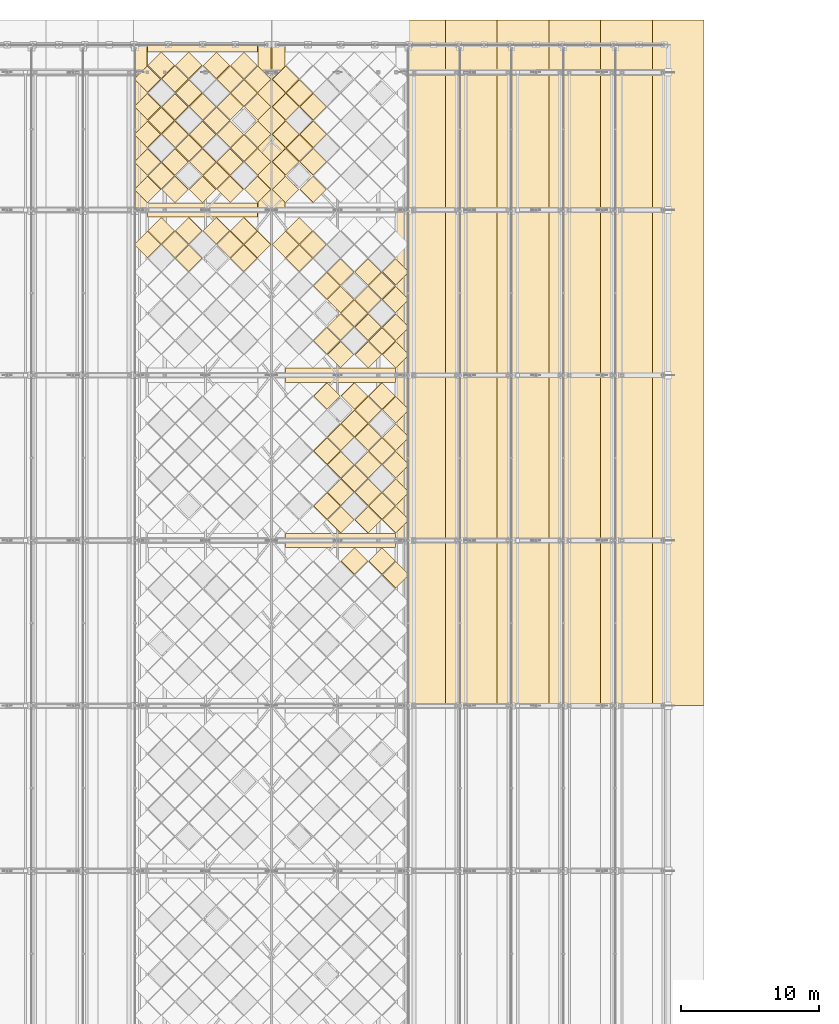
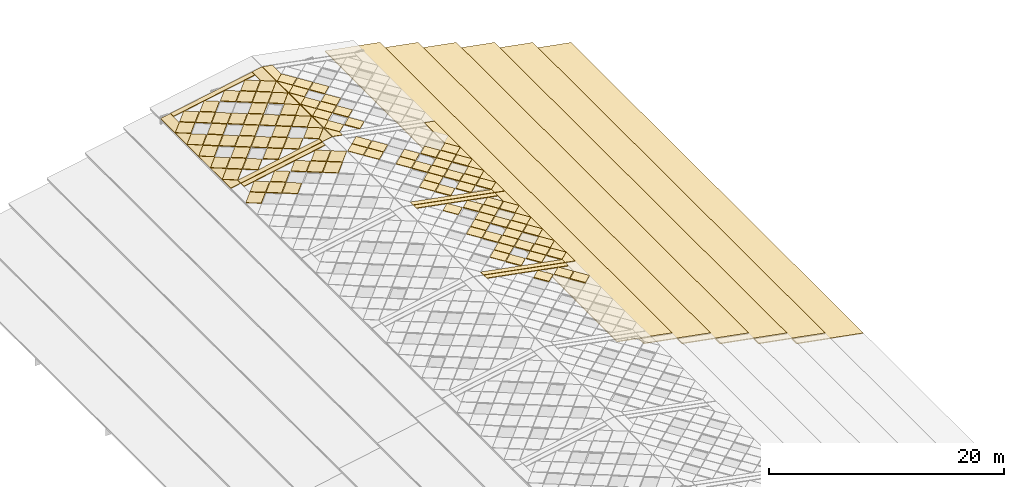
# One storey, part 116 of 117: 122 coverings.
"""IFC4 building model written with IfcOpenShell, lengths in metres."""

from ifc_helpers import new_model, si_unit, direction, frame, origin, place, context, subcontext, project, spatial, polyline, outline, extrude, material, layer, layer_set, type_object, element, save


model = new_model("IFC4")

# Units and contexts
model_context = context("Model", 3, precision=1e-05, world=origin(), true_north=direction((0.0, 1.0)))
body_context = subcontext(model_context, "Body", "Model", "MODEL_VIEW")
ifc_project = project(units=[si_unit("LENGTHUNIT", "METRE"), si_unit("AREAUNIT", "SQUARE_METRE"), si_unit("VOLUMEUNIT", "CUBIC_METRE"), si_unit("PLANEANGLEUNIT", "RADIAN"), si_unit("MASSUNIT", "GRAM", prefix="KILO")], contexts=[model_context])

# Site, building, storey
site_placement = place(None, origin())
site = spatial("IfcSite", under=ifc_project, at=site_placement, CompositionType="ELEMENT")
building_placement = place(site_placement, origin())
building = spatial("IfcBuilding", under=site, at=building_placement, Name="Merenkruunu Market Hall", CompositionType="ELEMENT")
storey_placement = place(building_placement, frame((0.0, 0.0, 22.800048828125)))
storey = spatial("IfcBuildingStorey", under=building, at=storey_placement, Name="RF", CompositionType="ELEMENT", Elevation=22.800048828125)

# Coverings
ifc_material_1 = material(Name="High-albedo white steel roof cladding", Category="steel")
ifc_layer_1 = layer(ifc_material_1, 0.080078125)
ifc_layer_set_1 = layer_set([ifc_layer_1], Name="High-albedo white steel roof cladding")
covering_type_1 = type_object("IfcCoveringType", Name="Insulated White Diamond Roof Panel RFG01", PredefinedType="ROOFING", material=ifc_layer_set_1)
for number, where, z_axis, x_axis, name in (
    (1, (33.85498046875, 74.10009765625, 0.931640625), (0.184831776078, 0.0, 0.982770173821), (0.700840184643, -0.701034617669, -0.131808574909), "COV-CROWN-PNL-347"),
    (2, (35.85498046875, 74.10009765625, 0.5556640625), (0.184831776078, 0.0, 0.982770173821), (0.700840184643, -0.701034617669, -0.131808574909), "COV-CROWN-PNL-355"),
    (3, (36.85498046875, 73.10009765625, 0.36767578125), (0.184831776078, 0.0, 0.982770173821), (0.700840184643, -0.701034617669, -0.131808574909), "COV-CROWN-PNL-360"),
    (4, (31.85498046875, 78.10009765625, 1.3076171875), (0.184831776078, 0.0, 0.982770173821), (0.700840184643, -0.701034617669, -0.131808574909), "COV-CROWN-PNL-410"),
    (5, (31.85498046875, 82.10009765625, 1.3076171875), (0.184831776078, 0.0, 0.982770173821), (0.700840184643, -0.701034617669, -0.131808574909), "COV-CROWN-PNL-411"),
    (6, (31.85498046875, 86.10009765625, 1.3076171875), (0.184831776078, 0.0, 0.982770173821), (0.700840184643, -0.701034617669, -0.131808574909), "COV-CROWN-PNL-412"),
    (7, (32.85498046875, 77.10009765625, 1.11962890625), (0.184831776078, 0.0, 0.982770173821), (0.700840184643, -0.701034617669, -0.131808574909), "COV-CROWN-PNL-413"),
    (8, (32.85498046875, 79.10009765625, 1.11962890625), (0.184831776078, 0.0, 0.982770173821), (0.700840184643, -0.701034617669, -0.131808574909), "COV-CROWN-PNL-414"),
    (9, (32.85498046875, 81.10009765625, 1.11962890625), (0.184831776078, 0.0, 0.982770173821), (0.700840184643, -0.701034617669, -0.131808574909), "COV-CROWN-PNL-415"),
    (10, (32.85498046875, 83.10009765625, 1.11962890625), (0.184831776078, 0.0, 0.982770173821), (0.700840184643, -0.701034617669, -0.131808574909), "COV-CROWN-PNL-416"),
    (11, (33.85498046875, 80.10009765625, 0.931640625), (0.184831776078, 0.0, 0.982770173821), (0.700840184643, -0.701034617669, -0.131808574909), "COV-CROWN-PNL-417"),
    (12, (33.85498046875, 84.10009765625, 0.931640625), (0.184831776078, 0.0, 0.982770173821), (0.700840184643, -0.701034617669, -0.131808574909), "COV-CROWN-PNL-418"),
    (13, (33.85498046875, 86.10009765625, 0.931640625), (0.184831776078, 0.0, 0.982770173821), (0.700840184643, -0.701034617669, -0.131808574909), "COV-CROWN-PNL-419"),
    (14, (34.85498046875, 77.10009765625, 0.74365234375), (0.184831776078, 0.0, 0.982770173821), (0.700840184643, -0.701034617669, -0.131808574909), "COV-CROWN-PNL-420"),
    (15, (34.85498046875, 79.10009765625, 0.74365234375), (0.184831776078, 0.0, 0.982770173821), (0.700840184643, -0.701034617669, -0.131808574909), "COV-CROWN-PNL-421"),
    (16, (34.85498046875, 81.10009765625, 0.74365234375), (0.184831776078, 0.0, 0.982770173821), (0.700840184643, -0.701034617669, -0.131808574909), "COV-CROWN-PNL-422"),
    (17, (34.85498046875, 83.10009765625, 0.74365234375), (0.184831776078, 0.0, 0.982770173821), (0.700840184643, -0.701034617669, -0.131808574909), "COV-CROWN-PNL-423"),
    (18, (34.85498046875, 85.10009765625, 0.74365234375), (0.184831776078, 0.0, 0.982770173821), (0.700840184643, -0.701034617669, -0.131808574909), "COV-CROWN-PNL-424"),
    (19, (35.85498046875, 78.10009765625, 0.5556640625), (0.184831776078, 0.0, 0.982770173821), (0.700840184643, -0.701034617669, -0.131808574909), "COV-CROWN-PNL-425"),
    (20, (35.85498046875, 82.10009765625, 0.5556640625), (0.184831776078, 0.0, 0.982770173821), (0.700840184643, -0.701034617669, -0.131808574909), "COV-CROWN-PNL-426"),
    (21, (35.85498046875, 86.10009765625, 0.5556640625), (0.184831776078, 0.0, 0.982770173821), (0.700840184643, -0.701034617669, -0.131808574909), "COV-CROWN-PNL-427"),
    (22, (36.85498046875, 77.10009765625, 0.36767578125), (0.184831776078, 0.0, 0.982770173821), (0.700840184643, -0.701034617669, -0.131808574909), "COV-CROWN-PNL-428"),
    (23, (36.85498046875, 79.10009765625, 0.36767578125), (0.184831776078, 0.0, 0.982770173821), (0.700840184643, -0.701034617669, -0.131808574909), "COV-CROWN-PNL-429"),
    (24, (36.85498046875, 81.10009765625, 0.36767578125), (0.184831776078, 0.0, 0.982770173821), (0.700840184643, -0.701034617669, -0.131808574909), "COV-CROWN-PNL-430"),
    (25, (36.85498046875, 83.10009765625, 0.36767578125), (0.184831776078, 0.0, 0.982770173821), (0.700840184643, -0.701034617669, -0.131808574909), "COV-CROWN-PNL-431"),
    (26, (36.85498046875, 85.10009765625, 0.36767578125), (0.184831776078, 0.0, 0.982770173821), (0.700840184643, -0.701034617669, -0.131808574909), "COV-CROWN-PNL-432"),
):
    element("IfcCovering", number, at=place(storey_placement, frame(where, z_axis=z_axis, x_axis=x_axis)), inside=storey, type_object=covering_type_1, Name=name, PredefinedType="ROOFING", context=body_context, shape_type="SweptSolid", body=[
        extrude(outline(polyline([(0.0, 0.0), (1.3696970933020924, 3.8163916471489756e-17), (1.3931523667781838, 1.3695284344678598), (0.023594244677936634, 1.3693226969882304), (0.0, 0.0)])), origin(), (0.0, 0.0, -1.0), 0.080078125),
    ])
for number, where, z_axis, x_axis, name in (
    (27, (26.8251953125, 97.10009765625, 1.5107421875), (-0.184711070472, 0.0, 0.982792867518), (0.700856370735, -0.70103461498, 0.131722496941), "COV-CROWN-PNL-437"),
    (28, (25.8251953125, 96.10009765625, 1.32275390625), (-0.184711070472, 0.0, 0.982792867518), (0.700856370735, -0.70103461498, 0.131722496941), "COV-CROWN-PNL-439"),
    (29, (25.8251953125, 98.10009765625, 1.32275390625), (-0.184711070472, 0.0, 0.982792867518), (0.700856370735, -0.70103461498, 0.131722496941), "COV-CROWN-PNL-440"),
    (30, (24.8251953125, 97.10009765625, 1.134765625), (-0.184711070472, 0.0, 0.982792867518), (0.700856370735, -0.70103461498, 0.131722496941), "COV-CROWN-PNL-445"),
):
    element("IfcCovering", number, at=place(storey_placement, frame(where, z_axis=z_axis, x_axis=x_axis)), inside=storey, type_object=covering_type_1, Name=name, PredefinedType="ROOFING", context=body_context, shape_type="SweptSolid", body=[
        extrude(outline(polyline([(0.0, 0.0), (1.369697098555844, -1.1796119636642288e-16), (1.393120202621735, 1.3694968053954037), (0.0235942550949389, 1.369322702063927), (0.0, 0.0)])), origin(), (0.0, 0.0, -1.0), 0.080078125),
    ])
for number, where, z_axis, x_axis, name in (
    (31, (23.8251953125, 98.10009765625, 0.946533203125), (-0.184831776078, 0.0, 0.982770173821), (0.700856096019, -0.701018147677, 0.131811567397), "COV-CROWN-PNL-448"),
    (32, (21.8251953125, 96.10009765625, 0.570556640625), (-0.184831776078, 0.0, 0.982770173821), (0.700856096019, -0.701018147677, 0.131811567397), "COV-CROWN-PNL-454"),
    (33, (21.8251953125, 98.10009765625, 0.570556640625), (-0.184831776078, 0.0, 0.982770173821), (0.700856096019, -0.701018147677, 0.131811567397), "COV-CROWN-PNL-455"),
    (34, (20.8251953125, 97.10009765625, 0.382568359375), (-0.184831776078, 0.0, 0.982770173821), (0.700856096019, -0.701018147677, 0.131811567397), "COV-CROWN-PNL-460"),
    (35, (19.8251953125, 98.10009765625, 0.194580078125), (-0.184831776078, 0.0, 0.982770173821), (0.700856096019, -0.701018147677, 0.131811567397), "COV-CROWN-PNL-463"),
    (36, (18.8251953125, 97.10009765625, 0.006591796875), (-0.184831776078, 0.0, 0.982770173821), (0.700856096019, -0.701018147677, 0.131811567397), "COV-CROWN-PNL-468"),
):
    element("IfcCovering", number, at=place(storey_placement, frame(where, z_axis=z_axis, x_axis=x_axis)), inside=storey, type_object=covering_type_1, Name=name, PredefinedType="ROOFING", context=body_context, shape_type="SweptSolid", body=[
        extrude(outline(polyline([(0.0, 0.0), (1.3697292734952495, 5.551115123125783e-17), (1.3931839959170225, 1.3694962589931816), (0.023658049988929668, 1.3693537851152227), (0.0, 0.0)])), origin(), (0.0, 0.0, -1.0), 0.080078125),
    ])
for number, where, z_axis, x_axis, name in (
    (37, (28.85498046875, 97.10009765625, 1.87158203125), (0.184711070472, 0.0, 0.982792867518), (0.700856370735, -0.70103461498, -0.131722496941), "COV-CROWN-PNL-473"),
    (38, (29.85498046875, 96.10009765625, 1.68359375), (0.184711070472, 0.0, 0.982792867518), (0.700856370735, -0.70103461498, -0.131722496941), "COV-CROWN-PNL-475"),
    (39, (29.85498046875, 98.10009765625, 1.68359375), (0.184711070472, 0.0, 0.982792867518), (0.700856370735, -0.70103461498, -0.131722496941), "COV-CROWN-PNL-476"),
    (40, (30.85498046875, 97.10009765625, 1.49560546875), (0.184711070472, 0.0, 0.982792867518), (0.700856370735, -0.70103461498, -0.131722496941), "COV-CROWN-PNL-481"),
):
    element("IfcCovering", number, at=place(storey_placement, frame(where, z_axis=z_axis, x_axis=x_axis)), inside=storey, type_object=covering_type_1, Name=name, PredefinedType="ROOFING", context=body_context, shape_type="SweptSolid", body=[
        extrude(outline(polyline([(0.0, 0.0), (1.369697098555844, -1.1796119636642288e-16), (1.393120202621735, 1.3694968053954037), (0.0235942550949389, 1.369322702063927), (0.0, 0.0)])), origin(), (0.0, 0.0, -1.0), 0.080078125),
    ])
for number, where, z_axis, x_axis, name in (
    (41, (31.85498046875, 90.10009765625, 1.3076171875), (0.184831776078, 0.0, 0.982770173821), (0.700840184643, -0.701034617669, -0.131808574909), "COV-CROWN-PNL-482"),
    (42, (31.85498046875, 94.10009765625, 1.3076171875), (0.184831776078, 0.0, 0.982770173821), (0.700840184643, -0.701034617669, -0.131808574909), "COV-CROWN-PNL-483"),
    (43, (32.85498046875, 89.10009765625, 1.11962890625), (0.184831776078, 0.0, 0.982770173821), (0.700840184643, -0.701034617669, -0.131808574909), "COV-CROWN-PNL-485"),
    (44, (32.85498046875, 91.10009765625, 1.11962890625), (0.184831776078, 0.0, 0.982770173821), (0.700840184643, -0.701034617669, -0.131808574909), "COV-CROWN-PNL-486"),
    (45, (32.85498046875, 93.10009765625, 1.11962890625), (0.184831776078, 0.0, 0.982770173821), (0.700840184643, -0.701034617669, -0.131808574909), "COV-CROWN-PNL-487"),
    (46, (32.85498046875, 95.10009765625, 1.11962890625), (0.184831776078, 0.0, 0.982770173821), (0.700840184643, -0.701034617669, -0.131808574909), "COV-CROWN-PNL-488"),
    (47, (33.85498046875, 92.10009765625, 0.931640625), (0.184831776078, 0.0, 0.982770173821), (0.700840184643, -0.701034617669, -0.131808574909), "COV-CROWN-PNL-489"),
    (48, (34.85498046875, 89.10009765625, 0.74365234375), (0.184831776078, 0.0, 0.982770173821), (0.700840184643, -0.701034617669, -0.131808574909), "COV-CROWN-PNL-492"),
    (49, (34.85498046875, 91.10009765625, 0.74365234375), (0.184831776078, 0.0, 0.982770173821), (0.700840184643, -0.701034617669, -0.131808574909), "COV-CROWN-PNL-493"),
    (50, (34.85498046875, 93.10009765625, 0.74365234375), (0.184831776078, 0.0, 0.982770173821), (0.700840184643, -0.701034617669, -0.131808574909), "COV-CROWN-PNL-494"),
    (51, (34.85498046875, 95.10009765625, 0.74365234375), (0.184831776078, 0.0, 0.982770173821), (0.700840184643, -0.701034617669, -0.131808574909), "COV-CROWN-PNL-495"),
    (52, (35.85498046875, 90.10009765625, 0.5556640625), (0.184831776078, 0.0, 0.982770173821), (0.700840184643, -0.701034617669, -0.131808574909), "COV-CROWN-PNL-497"),
    (53, (35.85498046875, 94.10009765625, 0.5556640625), (0.184831776078, 0.0, 0.982770173821), (0.700840184643, -0.701034617669, -0.131808574909), "COV-CROWN-PNL-498"),
    (54, (36.85498046875, 89.10009765625, 0.36767578125), (0.184831776078, 0.0, 0.982770173821), (0.700840184643, -0.701034617669, -0.131808574909), "COV-CROWN-PNL-500"),
    (55, (36.85498046875, 91.10009765625, 0.36767578125), (0.184831776078, 0.0, 0.982770173821), (0.700840184643, -0.701034617669, -0.131808574909), "COV-CROWN-PNL-501"),
    (56, (36.85498046875, 93.10009765625, 0.36767578125), (0.184831776078, 0.0, 0.982770173821), (0.700840184643, -0.701034617669, -0.131808574909), "COV-CROWN-PNL-502"),
    (57, (36.85498046875, 95.10009765625, 0.36767578125), (0.184831776078, 0.0, 0.982770173821), (0.700840184643, -0.701034617669, -0.131808574909), "COV-CROWN-PNL-503"),
):
    element("IfcCovering", number, at=place(storey_placement, frame(where, z_axis=z_axis, x_axis=x_axis)), inside=storey, type_object=covering_type_1, Name=name, PredefinedType="ROOFING", context=body_context, shape_type="SweptSolid", body=[
        extrude(outline(polyline([(0.0, 0.0), (1.3696970933020924, 3.8163916471489756e-17), (1.3931523667781838, 1.3695284344678598), (0.023594244677936634, 1.3693226969882304), (0.0, 0.0)])), origin(), (0.0, 0.0, -1.0), 0.080078125),
    ])
for number, where, z_axis, x_axis, name in (
    (58, (26.8251953125, 101.10009765625, 1.5107421875), (-0.184711070472, 0.0, 0.982792867518), (0.700856370735, -0.70103461498, 0.131722496941), "COV-CROWN-PNL-505"),
    (59, (26.8251953125, 103.10009765625, 1.5107421875), (-0.184711070472, 0.0, 0.982792867518), (0.700856370735, -0.70103461498, 0.131722496941), "COV-CROWN-PNL-506"),
    (60, (26.8251953125, 105.10009765625, 1.5107421875), (-0.184711070472, 0.0, 0.982792867518), (0.700856370735, -0.70103461498, 0.131722496941), "COV-CROWN-PNL-507"),
    (61, (26.8251953125, 107.10009765625, 1.5107421875), (-0.184711070472, 0.0, 0.982792867518), (0.700856370735, -0.70103461498, 0.131722496941), "COV-CROWN-PNL-508"),
    (62, (26.8251953125, 109.10009765625, 1.5107421875), (-0.184711070472, 0.0, 0.982792867518), (0.700856370735, -0.70103461498, 0.131722496941), "COV-CROWN-PNL-509"),
    (63, (25.8251953125, 104.10009765625, 1.32275390625), (-0.184711070472, 0.0, 0.982792867518), (0.700856370735, -0.70103461498, 0.131722496941), "COV-CROWN-PNL-510"),
    (64, (25.8251953125, 108.10009765625, 1.32275390625), (-0.184711070472, 0.0, 0.982792867518), (0.700856370735, -0.70103461498, 0.131722496941), "COV-CROWN-PNL-511"),
    (65, (25.8251953125, 110.10009765625, 1.32275390625), (-0.184711070472, 0.0, 0.982792867518), (0.700856370735, -0.70103461498, 0.131722496941), "COV-CROWN-PNL-512"),
    (66, (24.8251953125, 101.10009765625, 1.134765625), (-0.184711070472, 0.0, 0.982792867518), (0.700856370735, -0.70103461498, 0.131722496941), "COV-CROWN-PNL-513"),
    (67, (24.8251953125, 103.10009765625, 1.134765625), (-0.184711070472, 0.0, 0.982792867518), (0.700856370735, -0.70103461498, 0.131722496941), "COV-CROWN-PNL-514"),
    (68, (24.8251953125, 105.10009765625, 1.134765625), (-0.184711070472, 0.0, 0.982792867518), (0.700856370735, -0.70103461498, 0.131722496941), "COV-CROWN-PNL-515"),
    (69, (24.8251953125, 107.10009765625, 1.134765625), (-0.184711070472, 0.0, 0.982792867518), (0.700856370735, -0.70103461498, 0.131722496941), "COV-CROWN-PNL-516"),
    (70, (24.8251953125, 109.10009765625, 1.134765625), (-0.184711070472, 0.0, 0.982792867518), (0.700856370735, -0.70103461498, 0.131722496941), "COV-CROWN-PNL-517"),
):
    element("IfcCovering", number, at=place(storey_placement, frame(where, z_axis=z_axis, x_axis=x_axis)), inside=storey, type_object=covering_type_1, Name=name, PredefinedType="ROOFING", context=body_context, shape_type="SweptSolid", body=[
        extrude(outline(polyline([(0.0, 0.0), (1.369697098555844, -1.1796119636642288e-16), (1.393120202621735, 1.3694968053954037), (0.0235942550949389, 1.369322702063927), (0.0, 0.0)])), origin(), (0.0, 0.0, -1.0), 0.080078125),
    ])
for number, where, z_axis, x_axis, name in (
    (71, (23.8251953125, 102.10009765625, 0.946533203125), (-0.184831776078, 0.0, 0.982770173821), (0.700856096019, -0.701018147677, 0.131811567397), "COV-CROWN-PNL-518"),
    (72, (23.8251953125, 106.10009765625, 0.946533203125), (-0.184831776078, 0.0, 0.982770173821), (0.700856096019, -0.701018147677, 0.131811567397), "COV-CROWN-PNL-519"),
    (73, (23.8251953125, 110.10009765625, 0.946533203125), (-0.184831776078, 0.0, 0.982770173821), (0.700856096019, -0.701018147677, 0.131811567397), "COV-CROWN-PNL-520"),
    (74, (22.8251953125, 101.10009765625, 0.758544921875), (-0.184831776078, 0.0, 0.982770173821), (0.700856096019, -0.701018147677, 0.131811567397), "COV-CROWN-PNL-521"),
    (75, (22.8251953125, 103.10009765625, 0.758544921875), (-0.184831776078, 0.0, 0.982770173821), (0.700856096019, -0.701018147677, 0.131811567397), "COV-CROWN-PNL-522"),
    (76, (22.8251953125, 105.10009765625, 0.758544921875), (-0.184831776078, 0.0, 0.982770173821), (0.700856096019, -0.701018147677, 0.131811567397), "COV-CROWN-PNL-523"),
    (77, (22.8251953125, 107.10009765625, 0.758544921875), (-0.184831776078, 0.0, 0.982770173821), (0.700856096019, -0.701018147677, 0.131811567397), "COV-CROWN-PNL-524"),
    (78, (21.8251953125, 104.10009765625, 0.570556640625), (-0.184831776078, 0.0, 0.982770173821), (0.700856096019, -0.701018147677, 0.131811567397), "COV-CROWN-PNL-525"),
    (79, (21.8251953125, 108.10009765625, 0.570556640625), (-0.184831776078, 0.0, 0.982770173821), (0.700856096019, -0.701018147677, 0.131811567397), "COV-CROWN-PNL-526"),
    (80, (21.8251953125, 110.10009765625, 0.570556640625), (-0.184831776078, 0.0, 0.982770173821), (0.700856096019, -0.701018147677, 0.131811567397), "COV-CROWN-PNL-527"),
    (81, (20.8251953125, 101.10009765625, 0.382568359375), (-0.184831776078, 0.0, 0.982770173821), (0.700856096019, -0.701018147677, 0.131811567397), "COV-CROWN-PNL-528"),
    (82, (20.8251953125, 103.10009765625, 0.382568359375), (-0.184831776078, 0.0, 0.982770173821), (0.700856096019, -0.701018147677, 0.131811567397), "COV-CROWN-PNL-529"),
    (83, (20.8251953125, 105.10009765625, 0.382568359375), (-0.184831776078, 0.0, 0.982770173821), (0.700856096019, -0.701018147677, 0.131811567397), "COV-CROWN-PNL-530"),
    (84, (20.8251953125, 107.10009765625, 0.382568359375), (-0.184831776078, 0.0, 0.982770173821), (0.700856096019, -0.701018147677, 0.131811567397), "COV-CROWN-PNL-531"),
    (85, (20.8251953125, 109.10009765625, 0.382568359375), (-0.184831776078, 0.0, 0.982770173821), (0.700856096019, -0.701018147677, 0.131811567397), "COV-CROWN-PNL-532"),
    (86, (19.8251953125, 102.10009765625, 0.194580078125), (-0.184831776078, 0.0, 0.982770173821), (0.700856096019, -0.701018147677, 0.131811567397), "COV-CROWN-PNL-533"),
    (87, (19.8251953125, 106.10009765625, 0.194580078125), (-0.184831776078, 0.0, 0.982770173821), (0.700856096019, -0.701018147677, 0.131811567397), "COV-CROWN-PNL-534"),
    (88, (19.8251953125, 110.10009765625, 0.194580078125), (-0.184831776078, 0.0, 0.982770173821), (0.700856096019, -0.701018147677, 0.131811567397), "COV-CROWN-PNL-535"),
    (89, (18.8251953125, 101.10009765625, 0.006591796875), (-0.184831776078, 0.0, 0.982770173821), (0.700856096019, -0.701018147677, 0.131811567397), "COV-CROWN-PNL-536"),
    (90, (18.8251953125, 103.10009765625, 0.006591796875), (-0.184831776078, 0.0, 0.982770173821), (0.700856096019, -0.701018147677, 0.131811567397), "COV-CROWN-PNL-537"),
    (91, (18.8251953125, 105.10009765625, 0.006591796875), (-0.184831776078, 0.0, 0.982770173821), (0.700856096019, -0.701018147677, 0.131811567397), "COV-CROWN-PNL-538"),
    (92, (18.8251953125, 107.10009765625, 0.006591796875), (-0.184831776078, 0.0, 0.982770173821), (0.700856096019, -0.701018147677, 0.131811567397), "COV-CROWN-PNL-539"),
    (93, (18.8251953125, 109.10009765625, 0.006591796875), (-0.184831776078, 0.0, 0.982770173821), (0.700856096019, -0.701018147677, 0.131811567397), "COV-CROWN-PNL-540"),
):
    element("IfcCovering", number, at=place(storey_placement, frame(where, z_axis=z_axis, x_axis=x_axis)), inside=storey, type_object=covering_type_1, Name=name, PredefinedType="ROOFING", context=body_context, shape_type="SweptSolid", body=[
        extrude(outline(polyline([(0.0, 0.0), (1.3697292734952495, 5.551115123125783e-17), (1.3931839959170225, 1.3694962589931816), (0.023658049988929668, 1.3693537851152227), (0.0, 0.0)])), origin(), (0.0, 0.0, -1.0), 0.080078125),
    ])
for number, where, z_axis, x_axis, name in (
    (94, (28.85498046875, 101.10009765625, 1.87158203125), (0.184711070472, 0.0, 0.982792867518), (0.700856370735, -0.70103461498, -0.131722496941), "COV-CROWN-PNL-541"),
    (95, (28.85498046875, 103.10009765625, 1.87158203125), (0.184711070472, 0.0, 0.982792867518), (0.700856370735, -0.70103461498, -0.131722496941), "COV-CROWN-PNL-542"),
    (96, (28.85498046875, 105.10009765625, 1.87158203125), (0.184711070472, 0.0, 0.982792867518), (0.700856370735, -0.70103461498, -0.131722496941), "COV-CROWN-PNL-543"),
    (97, (28.85498046875, 107.10009765625, 1.87158203125), (0.184711070472, 0.0, 0.982792867518), (0.700856370735, -0.70103461498, -0.131722496941), "COV-CROWN-PNL-544"),
    (98, (28.85498046875, 109.10009765625, 1.87158203125), (0.184711070472, 0.0, 0.982792867518), (0.700856370735, -0.70103461498, -0.131722496941), "COV-CROWN-PNL-545"),
    (99, (29.85498046875, 104.10009765625, 1.68359375), (0.184711070472, 0.0, 0.982792867518), (0.700856370735, -0.70103461498, -0.131722496941), "COV-CROWN-PNL-546"),
    (100, (29.85498046875, 108.10009765625, 1.68359375), (0.184711070472, 0.0, 0.982792867518), (0.700856370735, -0.70103461498, -0.131722496941), "COV-CROWN-PNL-547"),
    (101, (30.85498046875, 101.10009765625, 1.49560546875), (0.184711070472, 0.0, 0.982792867518), (0.700856370735, -0.70103461498, -0.131722496941), "COV-CROWN-PNL-549"),
    (102, (30.85498046875, 103.10009765625, 1.49560546875), (0.184711070472, 0.0, 0.982792867518), (0.700856370735, -0.70103461498, -0.131722496941), "COV-CROWN-PNL-550"),
    (103, (30.85498046875, 105.10009765625, 1.49560546875), (0.184711070472, 0.0, 0.982792867518), (0.700856370735, -0.70103461498, -0.131722496941), "COV-CROWN-PNL-551"),
    (104, (30.85498046875, 107.10009765625, 1.49560546875), (0.184711070472, 0.0, 0.982792867518), (0.700856370735, -0.70103461498, -0.131722496941), "COV-CROWN-PNL-552"),
):
    element("IfcCovering", number, at=place(storey_placement, frame(where, z_axis=z_axis, x_axis=x_axis)), inside=storey, type_object=covering_type_1, Name=name, PredefinedType="ROOFING", context=body_context, shape_type="SweptSolid", body=[
        extrude(outline(polyline([(0.0, 0.0), (1.369697098555844, -1.1796119636642288e-16), (1.393120202621735, 1.3694968053954037), (0.0235942550949389, 1.369322702063927), (0.0, 0.0)])), origin(), (0.0, 0.0, -1.0), 0.080078125),
    ])
covering_1_placement = place(storey_placement, frame((53.65478515625, 63.60009765625, -6.5048828125), z_axis=(0.182239955012, 0.0, 0.983254086591), x_axis=(0.983254086591, 0.0, -0.182239955012)))
element("IfcCovering", 105, at=covering_1_placement, inside=storey, type_object=covering_type_1, Name="COV-SLRF-030", PredefinedType="ROOFING", context=body_context, shape_type="SweptSolid", body=[
    extrude(outline(polyline([(0.0, 0.0), (6.671535407364279, 0.0), (6.671535407364279, 49.7998046875), (0.0, 49.7998046875), (0.0, 0.0)]), holes=[polyline([(0.5085340703716363, 24.25), (1.8304861193475872, 24.25), (1.8304861193475872, 25.5498046875), (0.5085340703716363, 25.5498046875), (0.5085340703716363, 24.25)])]), origin(), (0.0, 0.0, -1.0), 0.080078125),
])
covering_2_placement = place(storey_placement, frame((49.894775390625, 63.60009765625, -5.18505859375), z_axis=(0.18220457564, 0.0, 0.983260643276), x_axis=(0.983260643276, 0.0, -0.18220457564)))
element("IfcCovering", 106, at=covering_2_placement, inside=storey, type_object=covering_type_1, Name="COV-SLRF-034", PredefinedType="ROOFING", context=body_context, shape_type="SweptSolid", body=[
    extrude(outline(polyline([(0.0, 0.0), (6.671490919506518, 0.0), (6.671490919506518, 49.799804687500014), (0.0, 49.799804687500014), (0.0, 0.0)]), holes=[polyline([(0.5084895829094569, 24.250000000000007), (1.8304416290420142, 24.250000000000007), (1.8304416290420142, 25.549804687500007), (0.5084895829094569, 25.549804687500007), (0.5084895829094569, 24.250000000000007)])]), origin(), (0.0, 0.0, -1.0), 0.080078125),
])
covering_3_placement = place(storey_placement, frame((46.134765625, 63.60009765625, -3.864990234375), z_axis=(0.182239955012, 0.0, 0.983254086591), x_axis=(0.983254086591, 0.0, -0.182239955012)))
element("IfcCovering", 107, at=covering_3_placement, inside=storey, type_object=covering_type_1, Name="COV-SLRF-038", PredefinedType="ROOFING", context=body_context, shape_type="SweptSolid", body=[
    extrude(outline(polyline([(0.0, 0.0), (6.671535407364279, 0.0), (6.671535407364279, 49.7998046875), (0.0, 49.7998046875), (0.0, 0.0)]), holes=[polyline([(0.5084895781951198, 24.25), (1.8306816794383045, 24.25), (1.8306816794383045, 25.5498046875), (0.5084895781951198, 25.5498046875), (0.5084895781951198, 24.25)])]), origin(), (0.0, 0.0, -1.0), 0.080078125),
])
covering_4_placement = place(storey_placement, frame((42.374755859375, 63.60009765625, -2.544921875), z_axis=(0.182233397966, 0.0, 0.983255301875), x_axis=(0.983255301875, 0.0, -0.182233397966)))
element("IfcCovering", 108, at=covering_4_placement, inside=storey, type_object=covering_type_1, Name="COV-SLRF-042", PredefinedType="ROOFING", context=body_context, shape_type="SweptSolid", body=[
    extrude(outline(polyline([(0.0, 0.0), (6.671775459779865, 0.0), (6.671775459779865, 49.7998046875), (0.0, 49.7998046875), (0.0, 0.0)]), holes=[polyline([(0.5084895791185551, 24.25), (1.830726170836341, 24.25), (1.830726170836341, 25.5498046875), (0.5084895791185551, 25.5498046875), (0.5084895791185551, 24.25)])]), origin(), (0.0, 0.0, -1.0), 0.080078125),
])
covering_5_placement = place(storey_placement, frame((38.61474609375, 63.60009765625, -1.224853515625), z_axis=(0.182233397966, 0.0, 0.983255301875), x_axis=(0.983255301875, 0.0, -0.182233397966)))
element("IfcCovering", 109, at=covering_5_placement, inside=storey, type_object=covering_type_1, Name="COV-SLRF-046", PredefinedType="ROOFING", context=body_context, shape_type="SweptSolid", body=[
    extrude(outline(polyline([(0.0, 0.0), (6.671775459779865, 0.0), (6.671775459779865, 49.7998046875), (0.0, 49.7998046875), (0.0, 0.0)]), holes=[polyline([(0.5085340696942303, 24.25), (1.830726170836341, 24.25), (1.830726170836341, 25.5498046875), (0.5085340696942303, 25.5498046875), (0.5085340696942303, 24.25)])]), origin(), (0.0, 0.0, -1.0), 0.080078125),
])
covering_6_placement = place(storey_placement, frame((36.0146484375, 63.60009765625, -0.119873046875), z_axis=(0.182256397646, 0.0, 0.98325103891), x_axis=(0.98325103891, 0.0, -0.182256397646)))
element("IfcCovering", 110, at=covering_6_placement, inside=storey, type_object=covering_type_1, Name="COV-SLRF-050", PredefinedType="ROOFING", context=body_context, shape_type="SweptSolid", body=[
    extrude(outline(polyline([(0.0, 0.0), (5.49213402343588, 0.0), (5.49213402343588, 49.7998046875), (0.0, 49.7998046875), (0.0, 0.0)]), holes=[polyline([(0.5085340719708614, 24.25), (1.830726173208904, 24.25), (1.830726173208904, 25.5498046875), (0.5085340719708614, 25.5498046875), (0.5085340719708614, 24.25)])]), origin(), (0.0, 0.0, -1.0), 0.080078125),
])
ifc_material_2 = material(Name="High-albedo white roof membrane")
ifc_layer_2 = layer(ifc_material_2, 0.06005859375)
ifc_layer_set_2 = layer_set([ifc_layer_2], Name="High-albedo white roof membrane")
covering_type_2 = type_object("IfcCoveringType", Name="Warm Membrane Roof Covering RFG02", PredefinedType="ROOFING", material=ifc_layer_set_2)
covering_7_placement = place(storey_placement, frame((29.811279296875, 75.080078125, 1.67138671875), z_axis=(0.184752092456, 0.0, 0.982785156753), x_axis=(0.982785156753, 0.0, -0.184752092456)))
element("IfcCovering", 111, at=covering_7_placement, inside=storey, type_object=covering_type_2, Name="COV-CROWN-TRIM-040", PredefinedType="ROOFING", context=body_context, shape_type="SweptSolid", body=[
    extrude(outline(polyline([(0.0, 0.0), (8.140131080565538, 0.0), (8.140131080565538, 0.5000000000000001), (0.0, 0.5000000000000001), (0.0, 0.0)])), origin(), (0.0, 0.0, -1.0), 0.06005859375),
])
covering_8_placement = place(storey_placement, frame((37.831298828125, 75.6201171875, 0.16357421875), z_axis=(0.184711070472, 0.0, 0.982792867518), x_axis=(0.982792867518, 0.0, -0.184711070472)))
element("IfcCovering", 112, at=covering_8_placement, inside=storey, type_object=covering_type_2, Name="COV-CROWN-TRIM-046", PredefinedType="ROOFING", context=body_context, shape_type="SweptSolid", body=[
    extrude(outline(polyline([(0.0, 0.0), (0.9767683193753063, 0.0), (0.9767683193753063, 11.9599609375), (0.0, 11.9599609375), (0.0, 0.0)])), origin(), (0.0, 0.0, -1.0), 0.06005859375),
])
for number, where, z_axis, x_axis, name in (
    (113, (29.811279296875, 75.6201171875, 1.67138671875), (0.184752092456, 0.0, 0.982785156753), (0.982785156753, 0.0, -0.184752092456), "COV-CROWN-TRIM-047"),
    (114, (29.811279296875, 87.080078125, 1.67138671875), (0.184752092456, 0.0, 0.982785156753), (0.982785156753, 0.0, -0.184752092456), "COV-CROWN-TRIM-048"),
    (115, (19.788818359375, 99.080078125, 0.16748046875), (-0.184752092456, 0.0, 0.982785156753), (0.982785156753, 0.0, 0.184752092456), "COV-CROWN-TRIM-052"),
):
    element("IfcCovering", number, at=place(storey_placement, frame(where, z_axis=z_axis, x_axis=x_axis)), inside=storey, type_object=covering_type_2, Name=name, PredefinedType="ROOFING", context=body_context, shape_type="SweptSolid", body=[
        extrude(outline(polyline([(0.0, 0.0), (8.140131080565538, 0.0), (8.140131080565538, 0.5000000000000001), (0.0, 0.5000000000000001), (0.0, 0.0)])), origin(), (0.0, 0.0, -1.0), 0.06005859375),
    ])
covering_9_placement = place(storey_placement, frame((37.831298828125, 87.6201171875, 0.16357421875), z_axis=(0.184711070472, 0.0, 0.982792867518), x_axis=(0.982792867518, 0.0, -0.184711070472)))
element("IfcCovering", 116, at=covering_9_placement, inside=storey, type_object=covering_type_2, Name="COV-CROWN-TRIM-054", PredefinedType="ROOFING", context=body_context, shape_type="SweptSolid", body=[
    extrude(outline(polyline([(0.0, 0.0), (0.9767683193753063, 0.0), (0.9767683193753063, 11.9599609375), (0.0, 11.9599609375), (0.0, 0.0)])), origin(), (0.0, 0.0, -1.0), 0.06005859375),
])
covering_10_placement = place(storey_placement, frame((29.811279296875, 87.6201171875, 1.67138671875), z_axis=(0.184752092456, 0.0, 0.982785156753), x_axis=(0.982785156753, 0.0, -0.184752092456)))
element("IfcCovering", 117, at=covering_10_placement, inside=storey, type_object=covering_type_2, Name="COV-CROWN-TRIM-055", PredefinedType="ROOFING", context=body_context, shape_type="SweptSolid", body=[
    extrude(outline(polyline([(0.0, 0.0), (8.140131080565538, 0.0), (8.140131080565538, 0.5000000000000001), (0.0, 0.5000000000000001), (0.0, 0.0)])), origin(), (0.0, 0.0, -1.0), 0.06005859375),
])
covering_11_placement = place(storey_placement, frame((27.808837890625, 99.6201171875, 1.675048828125), z_axis=(-0.184952473321, 0.0, 0.982747466348), x_axis=(0.982747466348, 0.0, 0.184952473321)))
element("IfcCovering", 118, at=covering_11_placement, inside=storey, type_object=covering_type_2, Name="COV-CROWN-TRIM-057", PredefinedType="ROOFING", context=body_context, shape_type="SweptSolid", body=[
    extrude(outline(polyline([(0.0, 0.0), (0.9768134443202975, 0.0), (0.9768134443202975, 11.9599609375), (0.0, 11.9599609375), (0.0, 0.0)])), origin(), (0.0, 0.0, -1.0), 0.06005859375),
])
covering_12_placement = place(storey_placement, frame((18.808837890625, 99.6201171875, -0.016845703125), z_axis=(-0.184711070472, 0.0, 0.982792867518), x_axis=(0.982792867518, 0.0, 0.184711070472)))
element("IfcCovering", 119, at=covering_12_placement, inside=storey, type_object=covering_type_2, Name="COV-CROWN-TRIM-058", PredefinedType="ROOFING", context=body_context, shape_type="SweptSolid", body=[
    extrude(outline(polyline([(0.0, 0.0), (0.9767683193753063, 0.0), (0.9767683193753063, 11.9599609375), (0.0, 11.9599609375), (0.0, 0.0)])), origin(), (0.0, 0.0, -1.0), 0.06005859375),
])
for number, where, z_axis, x_axis, name in (
    (120, (19.788818359375, 99.6201171875, 0.16748046875), (-0.184752092456, 0.0, 0.982785156753), (0.982785156753, 0.0, 0.184752092456), "COV-CROWN-TRIM-059"),
    (121, (19.788818359375, 111.080078125, 0.16748046875), (-0.184752092456, 0.0, 0.982785156753), (0.982785156753, 0.0, 0.184752092456), "COV-CROWN-TRIM-060"),
):
    element("IfcCovering", number, at=place(storey_placement, frame(where, z_axis=z_axis, x_axis=x_axis)), inside=storey, type_object=covering_type_2, Name=name, PredefinedType="ROOFING", context=body_context, shape_type="SweptSolid", body=[
        extrude(outline(polyline([(0.0, 0.0), (8.140131080565538, 0.0), (8.140131080565538, 0.5000000000000001), (0.0, 0.5000000000000001), (0.0, 0.0)])), origin(), (0.0, 0.0, -1.0), 0.06005859375),
    ])
covering_13_placement = place(storey_placement, frame((28.831298828125, 99.6201171875, 1.855712890625), z_axis=(0.184952473321, 0.0, 0.982747466348), x_axis=(0.982747466348, 0.0, -0.184952473321)))
element("IfcCovering", 122, at=covering_13_placement, inside=storey, type_object=covering_type_2, Name="COV-CROWN-TRIM-061", PredefinedType="ROOFING", context=body_context, shape_type="SweptSolid", body=[
    extrude(outline(polyline([(0.0, 0.0), (0.9768134443202975, 0.0), (0.9768134443202975, 11.9599609375), (0.0, 11.9599609375), (0.0, 0.0)])), origin(), (0.0, 0.0, -1.0), 0.06005859375),
])

save(model, "model.ifc")
